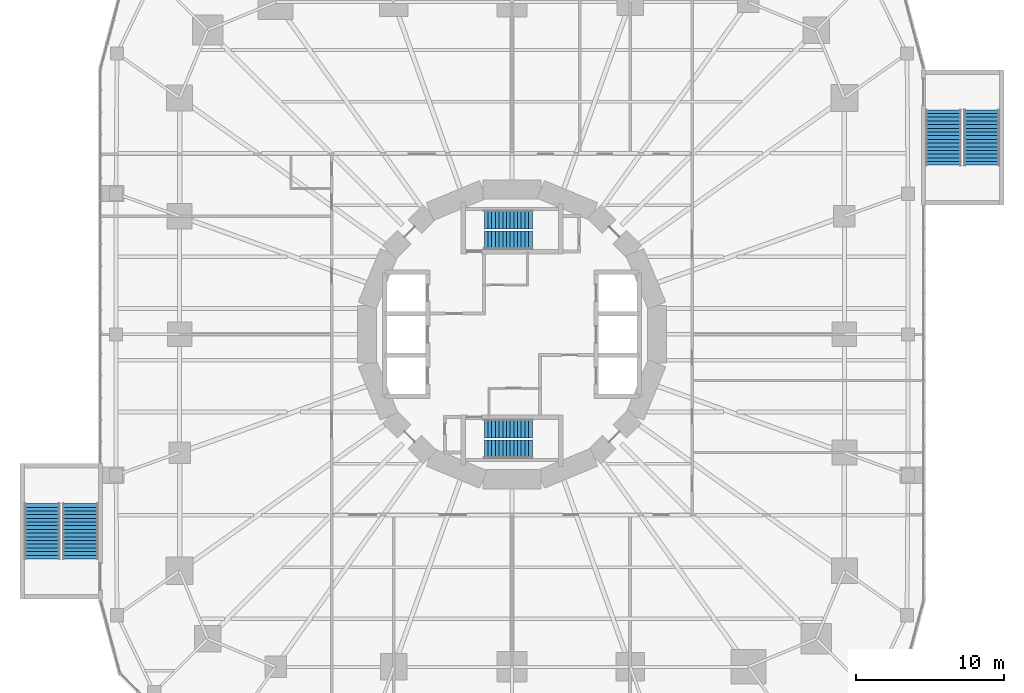
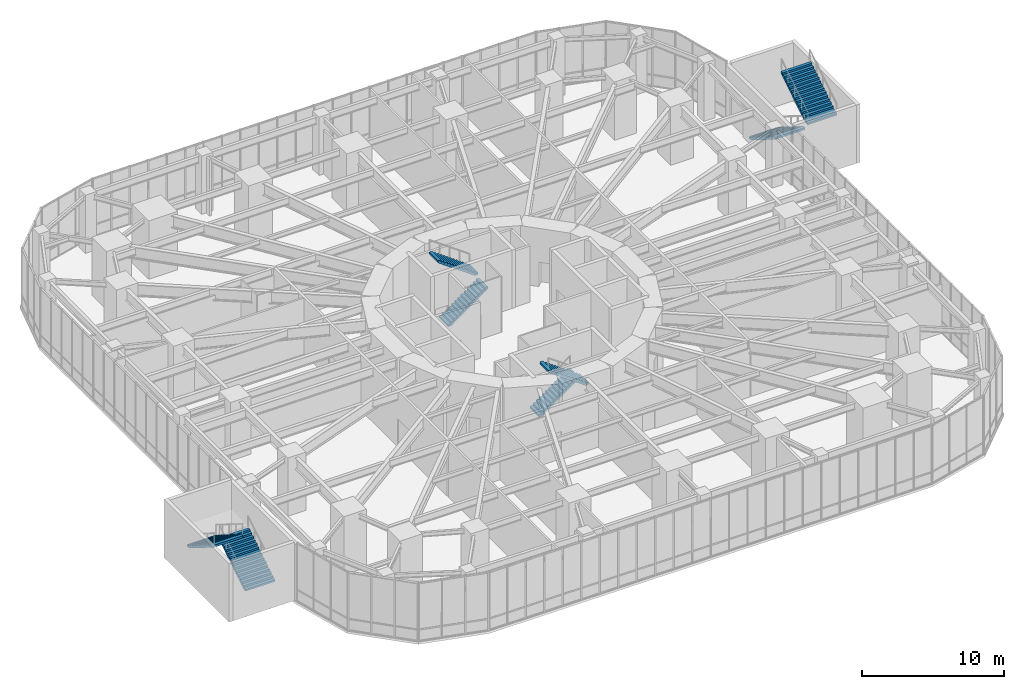
# One storey, part 23 of 24: 8 stair flights, 4 elements without a shape of their own.
"""IFC4 building model written with IfcOpenShell, lengths in metres."""

from ifc_helpers import new_model, si_unit, direction, frame, origin, place, context, subcontext, project, spatial, polyline, outline, extrude, material, type_object, element, aggregate, save


model = new_model("IFC4")

# Units and contexts
model_context = context("Model", 3, precision=1e-05, world=origin(), true_north=direction((0.0, 1.0)))
body_context = subcontext(model_context, "Body", "Model", "MODEL_VIEW")
ifc_project = project(units=[si_unit("LENGTHUNIT", "METRE"), si_unit("AREAUNIT", "SQUARE_METRE"), si_unit("VOLUMEUNIT", "CUBIC_METRE"), si_unit("PLANEANGLEUNIT", "RADIAN"), si_unit("MASSUNIT", "GRAM", prefix="KILO")], contexts=[model_context])

# Site, building, storey
site_placement = place(None, origin())
site = spatial("IfcSite", under=ifc_project, at=site_placement, CompositionType="ELEMENT")
building_placement = place(site_placement, origin())
building = spatial("IfcBuilding", under=site, at=building_placement, Name="Nakasero Lantern House", CompositionType="ELEMENT")
storey_placement = place(building_placement, frame((0.0, 0.0, 6.0)))
storey = spatial("IfcBuildingStorey", under=building, at=storey_placement, Name="L01", CompositionType="ELEMENT", Elevation=6.0)

# Stair, stair flights
ifc_material_1 = material(Name="Concrete C40/50", Category="concrete")
stair_type_1 = type_object("IfcStairType", Name="Escape stair ST1 28 risers", PredefinedType="HALF_TURN_STAIR", material=ifc_material_1)
stair_1_placement = place(storey_placement, origin())
stair_1 = element("IfcStair", 1, at=stair_1_placement, inside=storey, type_object=stair_type_1, Name="Escape stair ST1 L01", PredefinedType="HALF_TURN_STAIR")
ifc_material_2 = material(Name="Concrete C40/50", Category="concrete")
stair_flight_type_1 = type_object("IfcStairFlightType", Name="Escape stair flight", PredefinedType="STRAIGHT", material=ifc_material_2)
stair_flight_1_placement = place(storey_placement, frame((-1.875, 6.375, 0.0), z_axis=(0.0, 0.0, 1.0), x_axis=(1.0, 0.0, 0.0)))
stair_flight_1 = element("IfcStairFlight", 2, at=stair_flight_1_placement, type_object=stair_flight_type_1, Name="ST1 flight 1", NumberOfRisers=14, NumberOfTreads=13, PredefinedType="STRAIGHT", RiserHeight=0.178571429, TreadLength=0.25, context=body_context, shape_type="SweptSolid", body=[
    extrude(outline(polyline([(0.0, 0.0), (0.0, 0.178466796875), (0.25, 0.178466796875), (0.25, 0.357177734375), (0.5, 0.357177734375), (0.5, 0.53564453125), (0.75, 0.53564453125), (0.75, 0.71435546875), (1.0, 0.71435546875), (1.0, 0.892822265625), (1.25, 0.892822265625), (1.25, 1.071533203125), (1.5, 1.071533203125), (1.5, 1.25), (1.75, 1.25), (1.75, 1.428466796875), (2.0, 1.428466796875), (2.0, 1.607177734375), (2.25, 1.607177734375), (2.25, 1.78564453125), (2.5, 1.78564453125), (2.5, 1.96435546875), (2.75, 1.96435546875), (2.75, 2.142822265625), (3.0, 2.142822265625), (3.0, 2.321533203125), (3.25, 2.321533203125), (3.25, 2.5), (3.25, 2.13720703125), (0.2578125, 0.0), (0.0, 0.0)])), frame((0.0, 0.625, 0.0), z_axis=(0.0, -1.0, 0.0), x_axis=(1.0, 0.0, 0.0)), (0.0, 0.0, 1.0), 1.25),
])
stair_flight_2_placement = place(storey_placement, frame((1.375, 7.77490234375, 2.5), z_axis=(0.0, 0.0, 1.0), x_axis=(-1.0, 0.0, 0.0)))
stair_flight_2 = element("IfcStairFlight", 3, at=stair_flight_2_placement, type_object=stair_flight_type_1, Name="ST1 flight 2", NumberOfRisers=14, NumberOfTreads=13, PredefinedType="STRAIGHT", RiserHeight=0.178571429, TreadLength=0.25, context=body_context, shape_type="SweptSolid", body=[
    extrude(outline(polyline([(0.0, 0.0), (0.0, 0.178466796875), (0.25, 0.178466796875), (0.25, 0.357177734375), (0.5, 0.357177734375), (0.5, 0.53564453125), (0.75, 0.53564453125), (0.75, 0.71435546875), (1.0, 0.71435546875), (1.0, 0.892822265625), (1.25, 0.892822265625), (1.25, 1.071533203125), (1.5, 1.071533203125), (1.5, 1.25), (1.75, 1.25), (1.75, 1.428466796875), (2.0, 1.428466796875), (2.0, 1.607177734375), (2.25, 1.607177734375), (2.25, 1.78564453125), (2.5, 1.78564453125), (2.5, 1.96435546875), (2.75, 1.96435546875), (2.75, 2.142822265625), (3.0, 2.142822265625), (3.0, 2.321533203125), (3.25, 2.321533203125), (3.25, 2.5), (3.25, 2.13720703125), (0.2578125, 0.0), (0.0, 0.0)])), frame((0.0, 0.625, 0.0), z_axis=(0.0, -1.0, 0.0), x_axis=(1.0, 0.0, 0.0)), (0.0, 0.0, 1.0), 1.25),
])
aggregate(stair_1, [stair_flight_1, stair_flight_2])

ifc_material_3 = material(Name="Concrete C40/50", Category="concrete")
stair_type_2 = type_object("IfcStairType", Name="Escape stair ST2 28 risers", PredefinedType="HALF_TURN_STAIR", material=ifc_material_3)
stair_2_placement = place(storey_placement, origin())
stair_2 = element("IfcStair", 4, at=stair_2_placement, inside=storey, type_object=stair_type_2, Name="Escape stair ST2 L01", PredefinedType="HALF_TURN_STAIR")
stair_flight_3_placement = place(storey_placement, frame((-1.875, -6.375, 0.0), z_axis=(0.0, 0.0, 1.0), x_axis=(1.0, 0.0, 0.0)))
stair_flight_3 = element("IfcStairFlight", 5, at=stair_flight_3_placement, type_object=stair_flight_type_1, Name="ST2 flight 1", NumberOfRisers=14, NumberOfTreads=13, PredefinedType="STRAIGHT", RiserHeight=0.178571429, TreadLength=0.25, context=body_context, shape_type="SweptSolid", body=[
    extrude(outline(polyline([(0.0, 0.0), (0.0, 0.178466796875), (0.25, 0.178466796875), (0.25, 0.357177734375), (0.5, 0.357177734375), (0.5, 0.53564453125), (0.75, 0.53564453125), (0.75, 0.71435546875), (1.0, 0.71435546875), (1.0, 0.892822265625), (1.25, 0.892822265625), (1.25, 1.071533203125), (1.5, 1.071533203125), (1.5, 1.25), (1.75, 1.25), (1.75, 1.428466796875), (2.0, 1.428466796875), (2.0, 1.607177734375), (2.25, 1.607177734375), (2.25, 1.78564453125), (2.5, 1.78564453125), (2.5, 1.96435546875), (2.75, 1.96435546875), (2.75, 2.142822265625), (3.0, 2.142822265625), (3.0, 2.321533203125), (3.25, 2.321533203125), (3.25, 2.5), (3.25, 2.13720703125), (0.2578125, 0.0), (0.0, 0.0)])), frame((0.0, 0.625, 0.0), z_axis=(0.0, -1.0, 0.0), x_axis=(1.0, 0.0, 0.0)), (0.0, 0.0, 1.0), 1.25),
])
stair_flight_4_placement = place(storey_placement, frame((1.375, -7.77490234375, 2.5), z_axis=(0.0, 0.0, 1.0), x_axis=(-1.0, 0.0, 0.0)))
stair_flight_4 = element("IfcStairFlight", 6, at=stair_flight_4_placement, type_object=stair_flight_type_1, Name="ST2 flight 2", NumberOfRisers=14, NumberOfTreads=13, PredefinedType="STRAIGHT", RiserHeight=0.178571429, TreadLength=0.25, context=body_context, shape_type="SweptSolid", body=[
    extrude(outline(polyline([(0.0, 0.0), (0.0, 0.178466796875), (0.25, 0.178466796875), (0.25, 0.357177734375), (0.5, 0.357177734375), (0.5, 0.53564453125), (0.75, 0.53564453125), (0.75, 0.71435546875), (1.0, 0.71435546875), (1.0, 0.892822265625), (1.25, 0.892822265625), (1.25, 1.071533203125), (1.5, 1.071533203125), (1.5, 1.25), (1.75, 1.25), (1.75, 1.428466796875), (2.0, 1.428466796875), (2.0, 1.607177734375), (2.25, 1.607177734375), (2.25, 1.78564453125), (2.5, 1.78564453125), (2.5, 1.96435546875), (2.75, 1.96435546875), (2.75, 2.142822265625), (3.0, 2.142822265625), (3.0, 2.321533203125), (3.25, 2.321533203125), (3.25, 2.5), (3.25, 2.13720703125), (0.2578125, 0.0), (0.0, 0.0)])), frame((0.0, 0.625, 0.0), z_axis=(0.0, -1.0, 0.0), x_axis=(1.0, 0.0, 0.0)), (0.0, 0.0, 1.0), 1.25),
])
aggregate(stair_2, [stair_flight_3, stair_flight_4])

ifc_material_4 = material(Name="Concrete C40/50", Category="concrete")
stair_type_3 = type_object("IfcStairType", Name="Escape stair PS1 32 risers 156", PredefinedType="HALF_TURN_STAIR", material=ifc_material_4)
stair_3_placement = place(storey_placement, origin())
stair_3 = element("IfcStair", 7, at=stair_3_placement, inside=storey, type_object=stair_type_3, Name="Escape stair PS1 L01", PredefinedType="HALF_TURN_STAIR")
ifc_material_5 = material(Name="Concrete C40/50", Category="concrete")
stair_flight_type_2 = type_object("IfcStairFlightType", Name="Podium stair flight 2400", PredefinedType="STRAIGHT", material=ifc_material_5)
stair_flight_5_placement = place(storey_placement, frame((29.199951171875, 15.199951171875, 0.0), z_axis=(0.0, 0.0, 1.0), x_axis=(0.0, -1.0, 0.0)))
stair_flight_5 = element("IfcStairFlight", 8, at=stair_flight_5_placement, type_object=stair_flight_type_2, Name="PS1 flight 1", NumberOfRisers=16, NumberOfTreads=15, PredefinedType="STRAIGHT", RiserHeight=0.15625, TreadLength=0.25, context=body_context, shape_type="SweptSolid", body=[
    extrude(outline(polyline([(0.0, 0.0), (0.0, 0.15625), (0.25, 0.15625), (0.25, 0.3125), (0.5, 0.3125), (0.5, 0.46875), (0.75, 0.46875), (0.75, 0.625), (1.0, 0.625), (1.0, 0.78125), (1.25, 0.78125), (1.25, 0.9375), (1.5, 0.9375), (1.5, 1.09375), (1.75, 1.09375), (1.75, 1.25), (2.0, 1.25), (2.0, 1.40625), (2.25, 1.40625), (2.25, 1.5625), (2.5, 1.5625), (2.5, 1.71875), (2.75, 1.71875), (2.75, 1.875), (3.0, 1.875), (3.0, 2.03125), (3.25, 2.03125), (3.25, 2.1875), (3.5, 2.1875), (3.5, 2.34375), (3.75, 2.34375), (3.75, 2.5), (3.75, 2.1669921875), (0.28271484375, 0.0), (0.0, 0.0)])), frame((0.0, 1.199951171875, 0.0), z_axis=(0.0, -1.0, 0.0), x_axis=(1.0, 0.0, 0.0)), (0.0, 0.0, 1.0), 2.39990234375),
])
stair_flight_6_placement = place(storey_placement, frame((31.800048828125, 11.449951171875, 2.5), z_axis=(0.0, 0.0, 1.0), x_axis=(0.0, 1.0, 0.0)))
stair_flight_6 = element("IfcStairFlight", 9, at=stair_flight_6_placement, type_object=stair_flight_type_2, Name="PS1 flight 2", NumberOfRisers=16, NumberOfTreads=15, PredefinedType="STRAIGHT", RiserHeight=0.15625, TreadLength=0.25, context=body_context, shape_type="SweptSolid", body=[
    extrude(outline(polyline([(0.0, 0.0), (0.0, 0.15625), (0.25, 0.15625), (0.25, 0.3125), (0.5, 0.3125), (0.5, 0.46875), (0.75, 0.46875), (0.75, 0.625), (1.0, 0.625), (1.0, 0.78125), (1.25, 0.78125), (1.25, 0.9375), (1.5, 0.9375), (1.5, 1.09375), (1.75, 1.09375), (1.75, 1.25), (2.0, 1.25), (2.0, 1.40625), (2.25, 1.40625), (2.25, 1.5625), (2.5, 1.5625), (2.5, 1.71875), (2.75, 1.71875), (2.75, 1.875), (3.0, 1.875), (3.0, 2.03125), (3.25, 2.03125), (3.25, 2.1875), (3.5, 2.1875), (3.5, 2.34375), (3.75, 2.34375), (3.75, 2.5), (3.75, 2.1669921875), (0.28271484375, 0.0), (0.0, 0.0)])), frame((0.0, 1.199951171875, 0.0), z_axis=(0.0, -1.0, 0.0), x_axis=(1.0, 0.0, 0.0)), (0.0, 0.0, 1.0), 2.39990234375),
])
aggregate(stair_3, [stair_flight_5, stair_flight_6])

ifc_material_6 = material(Name="Concrete C40/50", Category="concrete")
stair_type_4 = type_object("IfcStairType", Name="Escape stair PS2 32 risers 156", PredefinedType="HALF_TURN_STAIR", material=ifc_material_6)
stair_4_placement = place(storey_placement, origin())
stair_4 = element("IfcStair", 10, at=stair_4_placement, inside=storey, type_object=stair_type_4, Name="Escape stair PS2 L01", PredefinedType="HALF_TURN_STAIR")
stair_flight_7_placement = place(storey_placement, frame((-29.199951171875, -15.199951171875, 0.0), z_axis=(0.0, 0.0, 1.0), x_axis=(0.0, 1.0, 0.0)))
stair_flight_7 = element("IfcStairFlight", 11, at=stair_flight_7_placement, type_object=stair_flight_type_2, Name="PS2 flight 1", NumberOfRisers=16, NumberOfTreads=15, PredefinedType="STRAIGHT", RiserHeight=0.15625, TreadLength=0.25, context=body_context, shape_type="SweptSolid", body=[
    extrude(outline(polyline([(0.0, 0.0), (0.0, 0.15625), (0.25, 0.15625), (0.25, 0.3125), (0.5, 0.3125), (0.5, 0.46875), (0.75, 0.46875), (0.75, 0.625), (1.0, 0.625), (1.0, 0.78125), (1.25, 0.78125), (1.25, 0.9375), (1.5, 0.9375), (1.5, 1.09375), (1.75, 1.09375), (1.75, 1.25), (2.0, 1.25), (2.0, 1.40625), (2.25, 1.40625), (2.25, 1.5625), (2.5, 1.5625), (2.5, 1.71875), (2.75, 1.71875), (2.75, 1.875), (3.0, 1.875), (3.0, 2.03125), (3.25, 2.03125), (3.25, 2.1875), (3.5, 2.1875), (3.5, 2.34375), (3.75, 2.34375), (3.75, 2.5), (3.75, 2.1669921875), (0.28271484375, 0.0), (0.0, 0.0)])), frame((0.0, 1.199951171875, 0.0), z_axis=(0.0, -1.0, 0.0), x_axis=(1.0, 0.0, 0.0)), (0.0, 0.0, 1.0), 2.39990234375),
])
stair_flight_8_placement = place(storey_placement, frame((-31.800048828125, -11.449951171875, 2.5), z_axis=(0.0, 0.0, 1.0), x_axis=(0.0, -1.0, 0.0)))
stair_flight_8 = element("IfcStairFlight", 12, at=stair_flight_8_placement, type_object=stair_flight_type_2, Name="PS2 flight 2", NumberOfRisers=16, NumberOfTreads=15, PredefinedType="STRAIGHT", RiserHeight=0.15625, TreadLength=0.25, context=body_context, shape_type="SweptSolid", body=[
    extrude(outline(polyline([(0.0, 0.0), (0.0, 0.15625), (0.25, 0.15625), (0.25, 0.3125), (0.5, 0.3125), (0.5, 0.46875), (0.75, 0.46875), (0.75, 0.625), (1.0, 0.625), (1.0, 0.78125), (1.25, 0.78125), (1.25, 0.9375), (1.5, 0.9375), (1.5, 1.09375), (1.75, 1.09375), (1.75, 1.25), (2.0, 1.25), (2.0, 1.40625), (2.25, 1.40625), (2.25, 1.5625), (2.5, 1.5625), (2.5, 1.71875), (2.75, 1.71875), (2.75, 1.875), (3.0, 1.875), (3.0, 2.03125), (3.25, 2.03125), (3.25, 2.1875), (3.5, 2.1875), (3.5, 2.34375), (3.75, 2.34375), (3.75, 2.5), (3.75, 2.1669921875), (0.28271484375, 0.0), (0.0, 0.0)])), frame((0.0, 1.199951171875, 0.0), z_axis=(0.0, -1.0, 0.0), x_axis=(1.0, 0.0, 0.0)), (0.0, 0.0, 1.0), 2.39990234375),
])
aggregate(stair_4, [stair_flight_7, stair_flight_8])

save(model, "model.ifc")
